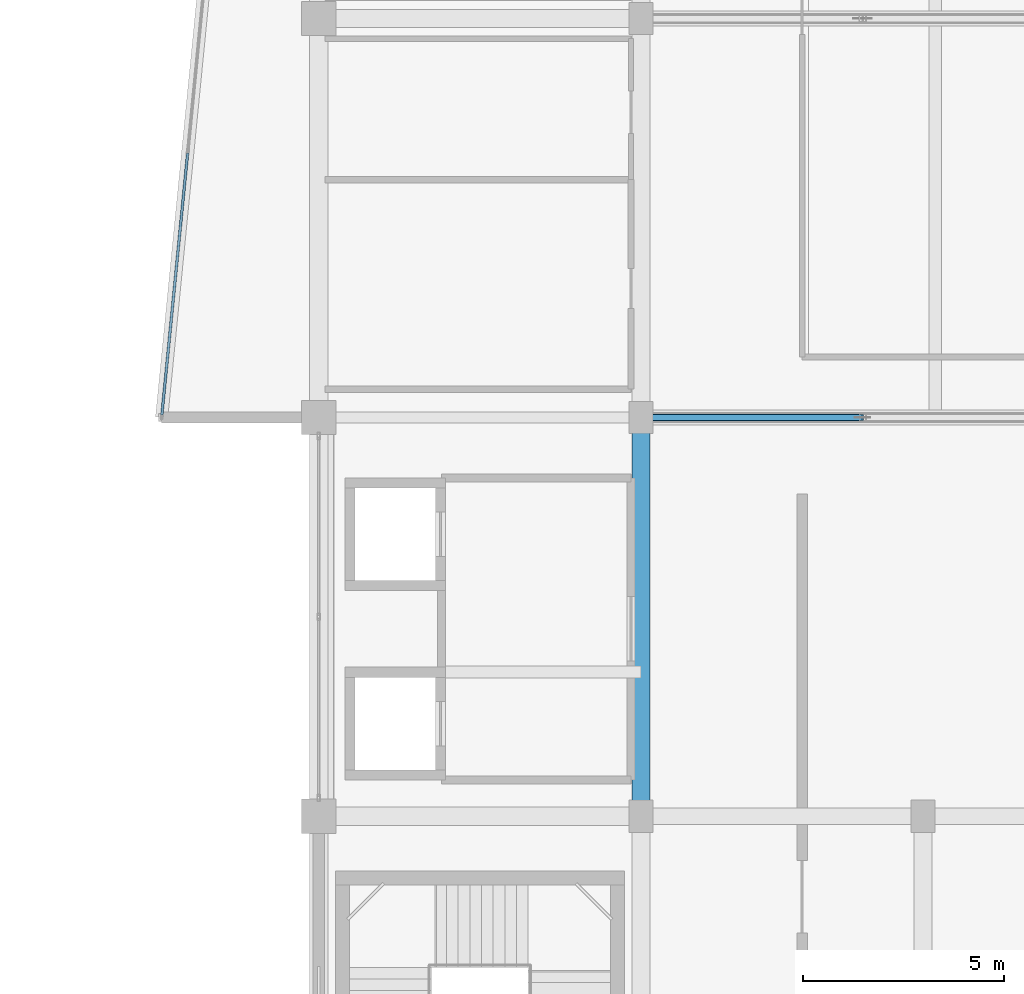
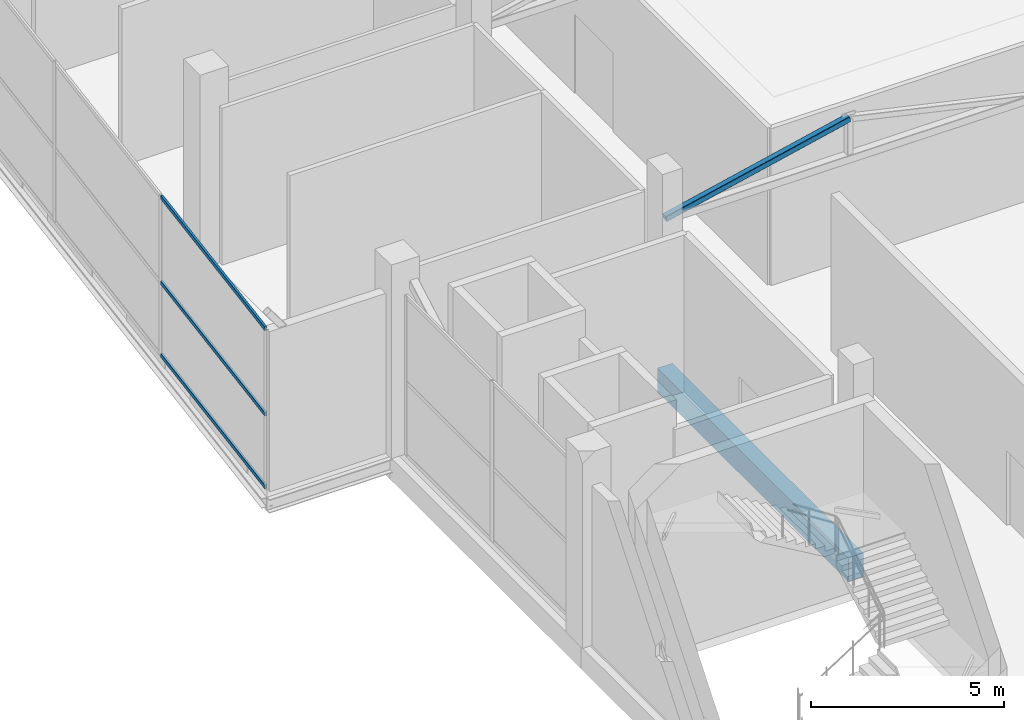
# One storey, part 8 of 58: 4 members, 1 beam, 1 element without a shape of its own.
"""IFC4 building model written with IfcOpenShell, lengths in metres."""

from ifc_helpers import new_model, si_unit, direction, frame, origin, origin_2d, place, context, subcontext, project, spatial, rectangle, hollow_rectangle, extrude, material, layer, layer_set, material_profile, profile_set, type_object, element, aggregate, save


model = new_model("IFC4")

# Units and contexts
model_context = context("Model", 3, precision=1e-05, world=origin(), true_north=direction((0.0, 1.0)))
body_context = subcontext(model_context, "Body", "Model", "MODEL_VIEW")
ifc_project = project(units=[si_unit("LENGTHUNIT", "METRE"), si_unit("AREAUNIT", "SQUARE_METRE"), si_unit("VOLUMEUNIT", "CUBIC_METRE"), si_unit("PLANEANGLEUNIT", "RADIAN"), si_unit("MASSUNIT", "GRAM", prefix="KILO")], contexts=[model_context])

# Site, building, storey
site_placement = place(None, origin())
site = spatial("IfcSite", under=ifc_project, at=site_placement, CompositionType="ELEMENT")
building_placement = place(site_placement, origin())
building = spatial("IfcBuilding", under=site, at=building_placement, Name="Sillaruma Civic Art Gallery", CompositionType="ELEMENT")
storey_placement = place(building_placement, frame((0.0, 0.0, 22.43994140625)))
storey = spatial("IfcBuildingStorey", under=building, at=storey_placement, Name="L04", CompositionType="ELEMENT", Elevation=22.43994140625)

# Beam
ifc_material_1 = material(Name="Concrete H40 (40 MPa)", Category="concrete")
ifc_material_profile_1 = material_profile(ifc_material_1, rectangle(XDim=0.449951171875, YDim=0.75, at=origin_2d()), Name="RCB450x750")
ifc_profile_set_1 = profile_set([ifc_material_profile_1], Name="Concrete H40 (40 MPa)")
beam_type = type_object("IfcBeamType", Name="BM-BEAM-RCB450x750", PredefinedType="BEAM", material=ifc_profile_set_1)
beam_placement = place(storey_placement, frame((70.0, 39.60009765625, -0.635009765625), z_axis=(0.0, 1.0, 0.0), x_axis=(-1.0, 0.0, 0.0)))
element("IfcBeam", 1, at=beam_placement, inside=storey, type_object=beam_type, Name="Beam BM-03 (L03:G:5-6)", PredefinedType="BEAM", context=body_context, shape_type="SweptSolid", body=[
    extrude(rectangle(XDim=0.449951171875, YDim=0.75, at=origin_2d()), origin(), (0.0, 0.0, 1.0), 9.89990234375),
])

# Member
ifc_material_2 = material(Name="Structural Steel ASTM A500 Gr.C", Category="steel")
ifc_material_profile_2 = material_profile(ifc_material_2, hollow_rectangle(XDim=0.179931640625, YDim=0.179931640625, WallThickness=0.010009765625, InnerFilletRadius=0.010009765625, OuterFilletRadius=0.02001953125, at=origin_2d()), Name="HSS180x180x10")
ifc_profile_set_2 = profile_set([ifc_material_profile_2], Name="Structural Steel ASTM A500 Gr.C")
member_type_1 = type_object("IfcMemberType", Name="MEM-BRACE-HSS180x180x10", PredefinedType="BRACE", material=ifc_profile_set_2)
member_1_placement = place(storey_placement, frame((70.0, 49.5, 4.4150390625), z_axis=(0.975552224414, 0.0, 0.219767735214), x_axis=(0.0, 1.0, 0.0)))
element("IfcMember", 2, at=member_1_placement, inside=storey, type_object=member_type_1, Name="Warren Truss Diagonal TR-L04-1-D1", PredefinedType="BRACE", context=body_context, shape_type="SweptSolid", body=[
    extrude(hollow_rectangle(XDim=0.179931640625, YDim=0.179931640625, WallThickness=0.010009765625, InnerFilletRadius=0.010009765625, OuterFilletRadius=0.02001953125, at=origin_2d()), origin(), (0.0, 0.0, 1.0), 5.637939453125),
])

# Curtain wall, members
ifc_material_3 = material(Name="Thermally Broken Extruded Aluminium 6063-T6", Category="aluminium")
ifc_layer = layer(ifc_material_3, 0.159912109375, Name="Thermally Broken Extruded Aluminium 6063-T6")
ifc_layer_set = layer_set([ifc_layer], Name="Thermally Broken Extruded Aluminium 6063-T6")
curtain_wall_type = type_object("IfcCurtainWallType", Name="CW-UNI-25", PredefinedType="NOTDEFINED", material=ifc_layer_set)
curtain_wall_placement = place(storey_placement, origin())
curtain_wall = element("IfcCurtainWall", 3, at=curtain_wall_placement, inside=storey, type_object=curtain_wall_type, Name="Unitised Curtain Wall CW-25 (CW-PRW-L04-W-ANG)", PredefinedType="NOTDEFINED")
ifc_material_profile_3 = material_profile(ifc_material_3, hollow_rectangle(XDim=0.06494140625, YDim=0.1201171875, WallThickness=0.00341796875, at=origin_2d()), Name="CWT65x120")
ifc_profile_set_3 = profile_set([ifc_material_profile_3], Name="Thermally Broken Extruded Aluminium 6063-T6")
member_type_2 = type_object("IfcMemberType", Name="MEM-TRN-CWT65x120", PredefinedType="USERDEFINED", material=ifc_profile_set_3)
member_2_placement = place(storey_placement, frame((58.746826171875, 56.067626953125, 0.032470703125), z_axis=(-0.098001709126, -0.995186246392, 0.0), x_axis=(0.995186246392, -0.098001709126, 0.0)))
member_2 = element("IfcMember", 4, at=member_2_placement, type_object=member_type_2, Name="CW-25 transom 3.1", ObjectType="TRANSOM", PredefinedType="USERDEFINED", context=body_context, shape_type="SweptSolid", body=[
    extrude(hollow_rectangle(XDim=0.06494140625, YDim=0.1201171875, WallThickness=0.00341796875, at=origin_2d()), origin(), (0.0, 0.0, 1.0), 6.534423828125),
])
member_3_placement = place(storey_placement, frame((58.746826171875, 56.067626953125, 2.32763671875), z_axis=(-0.098001709126, -0.995186246392, 0.0), x_axis=(0.995186246392, -0.098001709126, 0.0)))
member_3 = element("IfcMember", 5, at=member_3_placement, type_object=member_type_2, Name="CW-25 transom 3.2", ObjectType="TRANSOM", PredefinedType="USERDEFINED", context=body_context, shape_type="SweptSolid", body=[
    extrude(hollow_rectangle(XDim=0.06494140625, YDim=0.1201171875, WallThickness=0.00341796875, at=origin_2d()), origin(), (0.0, 0.0, 1.0), 6.534423828125),
])
member_4_placement = place(storey_placement, frame((58.746826171875, 56.067626953125, 5.027587890625), z_axis=(-0.098001709126, -0.995186246392, 0.0), x_axis=(0.995186246392, -0.098001709126, 0.0)))
member_4 = element("IfcMember", 6, at=member_4_placement, type_object=member_type_2, Name="CW-25 transom 3.3", ObjectType="TRANSOM", PredefinedType="USERDEFINED", context=body_context, shape_type="SweptSolid", body=[
    extrude(hollow_rectangle(XDim=0.06494140625, YDim=0.1201171875, WallThickness=0.00341796875, at=origin_2d()), origin(), (0.0, 0.0, 1.0), 6.534423828125),
])
aggregate(curtain_wall, [member_2, member_3, member_4])

save(model, "model.ifc")
